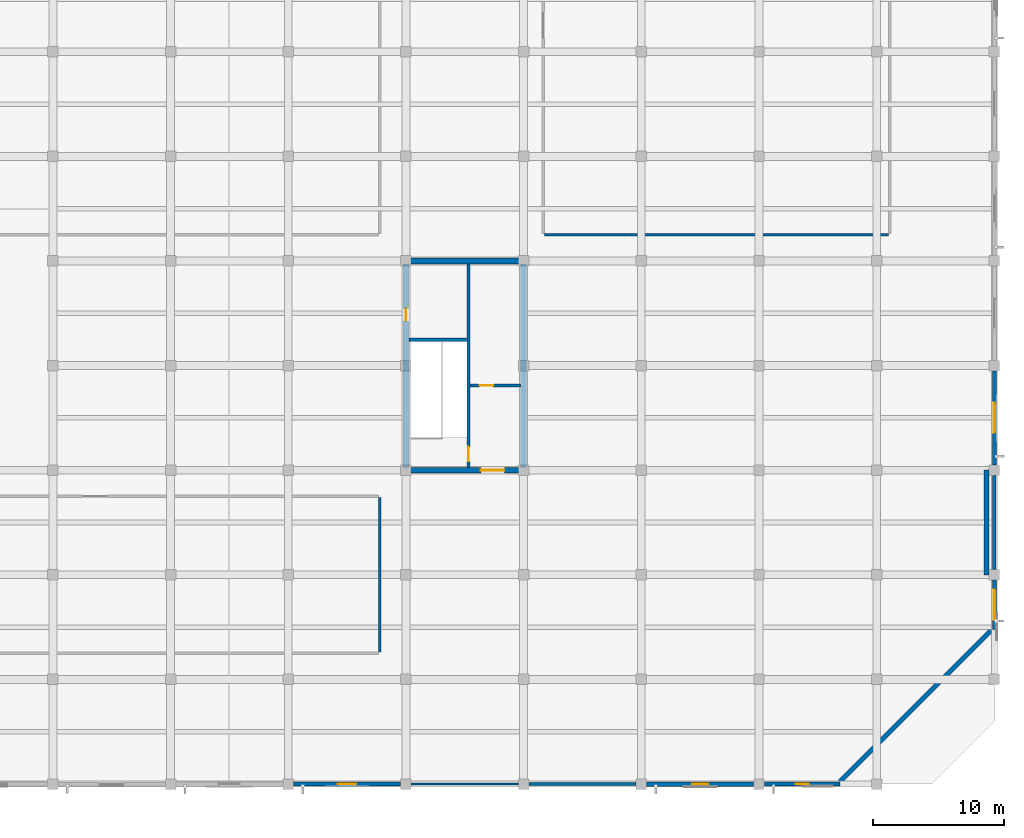
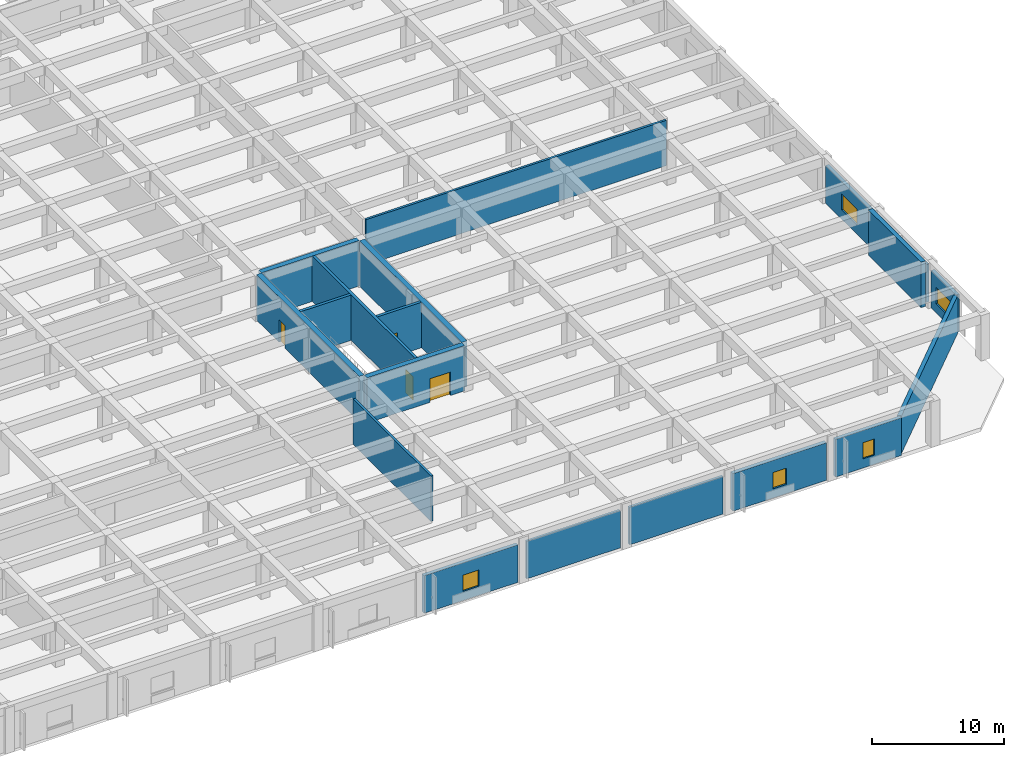
# One storey, part 17 of 32: 19 walls, 5 windows, 4 doors, 9 openings.
"""IFC4 building model written with IfcOpenShell, lengths in metres."""

from ifc_helpers import new_model, si_unit, direction, frame, frame_2d, origin, place, context, subcontext, project, spatial, rectangle, extrude, material, layer, layer_set, type_object, element, fill, save


model = new_model("IFC4")

# Units and contexts
model_context = context("Model", 3, precision=1e-05, world=origin(), true_north=direction((0.0, 1.0)))
body_context = subcontext(model_context, "Body", "Model", "MODEL_VIEW")
ifc_project = project(units=[si_unit("LENGTHUNIT", "METRE"), si_unit("AREAUNIT", "SQUARE_METRE"), si_unit("VOLUMEUNIT", "CUBIC_METRE"), si_unit("PLANEANGLEUNIT", "RADIAN"), si_unit("MASSUNIT", "GRAM", prefix="KILO")], contexts=[model_context])

# Site, building, storey
site_placement = place(None, origin())
site = spatial("IfcSite", under=ifc_project, at=site_placement, CompositionType="ELEMENT")
building_placement = place(site_placement, origin())
building = spatial("IfcBuilding", under=site, at=building_placement, Name="Zaverband Oceanarium and Marine Research Institute", CompositionType="ELEMENT")
storey_placement = place(building_placement, frame((0.0, 0.0, 13.5)))
storey = spatial("IfcBuildingStorey", under=building, at=storey_placement, Name="L03", CompositionType="ELEMENT", Elevation=13.5)

# Walls
ifc_material_1 = material(Name="Concrete C40/50 precast", Category="concrete")
ifc_layer_1 = layer(ifc_material_1, 0.18505859375, Name="Concrete C40/50 precast")
ifc_layer_set_1 = layer_set([ifc_layer_1], Name="Concrete C40/50 precast")
wall_type_1 = type_object("IfcWallType", Name="CLS-185", PredefinedType="ELEMENTEDWALL", material=ifc_layer_set_1)
wall_1_placement = place(storey_placement, frame((135.405029296875, 0.0, 0.0), z_axis=(0.0, 0.0, 1.0), x_axis=(1.0, 0.0, 0.0)))
element("IfcWall", 1, at=wall_1_placement, inside=storey, type_object=wall_type_1, Name="Pierced concrete screen CLS-185", PredefinedType="ELEMENTEDWALL", context=body_context, shape_type="SweptSolid", body=[
    extrude(rectangle(XDim=8.18994140625, YDim=0.18505859375, at=frame_2d((4.094970703125, 0.0))), origin(), (0.0, 0.0, 1.0), 3.47998046875),
])
ifc_layer_2 = layer(ifc_material_1, 0.2099609375, Name="Concrete C40/50 precast")
ifc_layer_set_2 = layer_set([ifc_layer_2], Name="Concrete C40/50 precast")
wall_type_2 = type_object("IfcWallType", Name="CLS-210", PredefinedType="ELEMENTEDWALL", material=ifc_layer_set_2)
wall_2_placement = place(storey_placement, frame((144.405029296875, 0.0, 0.0), z_axis=(0.0, 0.0, 1.0), x_axis=(1.0, 0.0, 0.0)))
element("IfcWall", 2, at=wall_2_placement, inside=storey, type_object=wall_type_2, Name="Pierced concrete screen CLS-210", PredefinedType="ELEMENTEDWALL", context=body_context, shape_type="SweptSolid", body=[
    extrude(rectangle(XDim=8.18994140625, YDim=0.2099609375, at=frame_2d((4.094970703125, 0.0))), origin(), (0.0, 0.0, 1.0), 3.47998046875),
])

# Wall, opening, door
ifc_material_2 = material(Name="Concrete C50/60", Category="concrete")
ifc_layer_3 = layer(ifc_material_2, 0.449951171875, Name="Concrete C50/60")
ifc_layer_set_3 = layer_set([ifc_layer_3], Name="Concrete C50/60")
wall_type_3 = type_object("IfcWallType", Name="CW-02", PredefinedType="SHEAR", material=ifc_layer_set_3)
wall_3_placement = place(storey_placement, frame((135.22509765625, 24.0, 0.0), z_axis=(0.0, 0.0, 1.0), x_axis=(1.0, 0.0, 0.0)))
wall_3 = element("IfcWall", 3, at=wall_3_placement, inside=storey, type_object=wall_type_3, Name="Structural shear wall CW-02", PredefinedType="SHEAR", context=body_context, shape_type="SweptSolid", body=[
    extrude(rectangle(XDim=8.5498046875, YDim=0.449951171875, at=frame_2d((4.27490234375, 0.0))), origin(), (0.0, 0.0, 1.0), 4.199951171875),
])
opening_1_placement = place(wall_3_placement, frame((5.5, 0.0, 0.0)))
opening_1 = element("IfcOpeningElement", 4, at=opening_1_placement, cuts=wall_3, Name="Opening FD-02", PredefinedType="OPENING", context=body_context, shape_type="SweptSolid", body=[
    extrude(rectangle(XDim=1.800048828125, YDim=2.179931640625, at=frame_2d((0.89990234375, 1.08984375))), frame((0.0, 0.23681640625, 0.0), z_axis=(0.0, -1.0, 0.0), x_axis=(1.0, 0.0, 0.0)), (0.0, 0.0, 1.0), 0.473876953125),
])
ifc_material_3 = material(Name="Steel S355", Category="steel")
door_type_1 = type_object("IfcDoorType", Name="FD-02", OperationType="DOUBLE_DOOR_SINGLE_SWING", PredefinedType="DOOR", material=ifc_material_3)
door_1_placement = place(opening_1_placement, origin())
door_1 = element("IfcDoor", 5, at=door_1_placement, inside=storey, type_object=door_type_1, Name="Protected lobby double fire door FD-02", OperationType="DOUBLE_DOOR_SINGLE_SWING", OverallHeight=2.179931640625, OverallWidth=1.800048828125, PredefinedType="DOOR", context=body_context, shape_type="SweptSolid", body=[
    extrude(rectangle(XDim=1.800048828125, YDim=2.179931640625, at=frame_2d((0.89990234375, 1.08984375))), frame((0.0, 0.02490234375, 0.0), z_axis=(0.0, -1.0, 0.0), x_axis=(1.0, 0.0, 0.0)), (0.0, 0.0, 1.0), 0.050048828125),
])
fill(opening_1, door_1)

# Wall
wall_4_placement = place(storey_placement, frame((135.22509765625, 40.0, 0.0), z_axis=(0.0, 0.0, 1.0), x_axis=(1.0, 0.0, 0.0)))
element("IfcWall", 6, at=wall_4_placement, inside=storey, type_object=wall_type_3, Name="Structural shear wall CW-02", PredefinedType="SHEAR", context=body_context, shape_type="SweptSolid", body=[
    extrude(rectangle(XDim=8.5498046875, YDim=0.449951171875, at=frame_2d((4.27490234375, 0.0))), origin(), (0.0, 0.0, 1.0), 4.199951171875),
])

# Wall, opening, door
wall_5_placement = place(storey_placement, frame((135.0, 24.22509765625, 0.0), z_axis=(0.0, 0.0, 1.0), x_axis=(0.0, 1.0, 0.0)))
wall_5 = element("IfcWall", 7, at=wall_5_placement, inside=storey, type_object=wall_type_3, Name="Structural shear wall CW-02", PredefinedType="SHEAR", context=body_context, shape_type="SweptSolid", body=[
    extrude(rectangle(XDim=15.5498046875, YDim=0.449951171875, at=frame_2d((7.77490234375, 0.0))), origin(), (0.0, 0.0, 1.0), 4.199951171875),
])
opening_2_placement = place(wall_5_placement, frame((11.199951171875, 0.0, 0.0)))
opening_2 = element("IfcOpeningElement", 8, at=opening_2_placement, cuts=wall_5, Name="Opening FD-03", PredefinedType="OPENING", context=body_context, shape_type="SweptSolid", body=[
    extrude(rectangle(XDim=0.949951171875, YDim=2.10009765625, at=frame_2d((0.47509765625, 1.050048828125))), frame((0.0, 0.23681640625, 0.0), z_axis=(0.0, -1.0, 0.0), x_axis=(1.0, 0.0, 0.0)), (0.0, 0.0, 1.0), 0.473876953125),
])
door_type_2 = type_object("IfcDoorType", Name="FD-03", OperationType="NOTDEFINED", PredefinedType="DOOR", material=ifc_material_3)
door_2_placement = place(opening_2_placement, origin())
door_2 = element("IfcDoor", 9, at=door_2_placement, inside=storey, type_object=door_type_2, Name="Service riser access fire door FD-03", OperationType="SINGLE_SWING_RIGHT", OverallHeight=2.10009765625, OverallWidth=0.949951171875, PredefinedType="DOOR", context=body_context, shape_type="SweptSolid", body=[
    extrude(rectangle(XDim=0.949951171875, YDim=2.10009765625, at=frame_2d((0.47509765625, 1.050048828125))), frame((0.0, 0.02490234375, 0.0), z_axis=(0.0, -1.0, 0.0), x_axis=(1.0, 0.0, 0.0)), (0.0, 0.0, 1.0), 0.050048828125),
])
fill(opening_2, door_2)

# Walls
wall_6_placement = place(storey_placement, frame((144.0, 24.22509765625, 0.0), z_axis=(0.0, 0.0, 1.0), x_axis=(0.0, 1.0, 0.0)))
element("IfcWall", 10, at=wall_6_placement, inside=storey, type_object=wall_type_3, Name="Structural shear wall CW-02", PredefinedType="SHEAR", context=body_context, shape_type="SweptSolid", body=[
    extrude(rectangle(XDim=15.5498046875, YDim=0.449951171875, at=frame_2d((7.77490234375, 0.0))), origin(), (0.0, 0.0, 1.0), 4.199951171875),
])
ifc_layer_4 = layer(ifc_material_1, 0.264892578125, Name="Concrete C40/50 precast")
ifc_layer_set_4 = layer_set([ifc_layer_4], Name="Concrete C40/50 precast")
wall_type_4 = type_object("IfcWallType", Name="EW-265", PredefinedType="STANDARD", material=ifc_layer_set_4)
wall_7_placement = place(storey_placement, frame((180.0, 16.405029296875, 0.0), z_axis=(0.0, 0.0, 1.0), x_axis=(0.0, 1.0, 0.0)))
element("IfcWall", 11, at=wall_7_placement, inside=storey, type_object=wall_type_4, Name="Exterior infill wall EW-265", PredefinedType="STANDARD", context=body_context, shape_type="SweptSolid", body=[
    extrude(rectangle(XDim=7.18994140625, YDim=0.264892578125, at=frame_2d((3.594970703125, 0.0))), origin(), (0.0, 0.0, 1.0), 3.47998046875),
])

# Wall, opening, window
ifc_layer_5 = layer(ifc_material_1, 0.2900390625, Name="Concrete C40/50 precast")
ifc_layer_set_5 = layer_set([ifc_layer_5], Name="Concrete C40/50 precast")
wall_type_5 = type_object("IfcWallType", Name="EW-290", PredefinedType="STANDARD", material=ifc_layer_set_5)
wall_8_placement = place(storey_placement, frame((180.0, 11.820068359375, 0.0), z_axis=(0.0, 0.0, 1.0), x_axis=(0.0, 1.0, 0.0)))
wall_8 = element("IfcWall", 12, at=wall_8_placement, inside=storey, type_object=wall_type_5, Name="Exterior infill wall EW-290", PredefinedType="STANDARD", context=body_context, shape_type="SweptSolid", body=[
    extrude(rectangle(XDim=3.77490234375, YDim=0.2900390625, at=frame_2d((1.887451171875, 0.0))), origin(), (0.0, 0.0, 1.0), 3.47998046875),
])
opening_3_placement = place(wall_8_placement, frame((0.737548828125, 0.0, 0.85009765625)))
opening_3 = element("IfcOpeningElement", 13, at=opening_3_placement, cuts=wall_8, Name="Opening WN-2300x1500", PredefinedType="OPENING", context=body_context, shape_type="SweptSolid", body=[
    extrude(rectangle(XDim=2.300048828125, YDim=1.5, at=frame_2d((1.14990234375, 0.75))), frame((0.0, 0.156982421875, 0.0), z_axis=(0.0, -1.0, 0.0), x_axis=(1.0, 0.0, 0.0)), (0.0, 0.0, 1.0), 0.31396484375),
])
ifc_material_4 = material(Name="Thermally broken anodized aluminium and solar-control glass", Category="aluminium")
window_type_1 = type_object("IfcWindowType", Name="WN-2300x1500", PartitioningType="SINGLE_PANEL", PredefinedType="WINDOW", material=ifc_material_4)
window_1_placement = place(opening_3_placement, origin())
window_1 = element("IfcWindow", 14, at=window_1_placement, inside=storey, type_object=window_type_1, Name="Fixed / casement exterior window WN-2300x1500", OverallHeight=1.5, OverallWidth=2.300048828125, PartitioningType="SINGLE_PANEL", PredefinedType="WINDOW", context=body_context, shape_type="SweptSolid", body=[
    extrude(rectangle(XDim=2.300048828125, YDim=1.5, at=frame_2d((1.14990234375, 0.75))), frame((0.0, 0.030029296875, 0.0), z_axis=(0.0, -1.0, 0.0), x_axis=(1.0, 0.0, 0.0)), (0.0, 0.0, 1.0), 0.06005859375),
])
fill(opening_3, window_1)

ifc_layer_6 = layer(ifc_material_1, 0.31005859375, Name="Concrete C40/50 precast")
ifc_layer_set_6 = layer_set([ifc_layer_6], Name="Concrete C40/50 precast")
wall_type_6 = type_object("IfcWallType", Name="EW-310", PredefinedType="STANDARD", material=ifc_layer_set_6)
wall_9_placement = place(storey_placement, frame((126.405029296875, 0.0, 0.0), z_axis=(0.0, 0.0, 1.0), x_axis=(1.0, 0.0, 0.0)))
wall_9 = element("IfcWall", 15, at=wall_9_placement, inside=storey, type_object=wall_type_6, Name="Exterior infill wall EW-310", PredefinedType="STANDARD", context=body_context, shape_type="SweptSolid", body=[
    extrude(rectangle(XDim=8.18994140625, YDim=0.31005859375, at=frame_2d((4.094970703125, 0.0))), origin(), (0.0, 0.0, 1.0), 3.47998046875),
])
opening_4_placement = place(wall_9_placement, frame((3.39501953125, 0.0, 0.85009765625)))
opening_4 = element("IfcOpeningElement", 16, at=opening_4_placement, cuts=wall_9, Name="Opening WN-1400x1500", PredefinedType="OPENING", context=body_context, shape_type="SweptSolid", body=[
    extrude(rectangle(XDim=1.39990234375, YDim=1.5, at=frame_2d((0.699951171875, 0.75))), frame((0.0, 0.1669921875, 0.0), z_axis=(0.0, -1.0, 0.0), x_axis=(1.0, 0.0, 0.0)), (0.0, 0.0, 1.0), 0.333984375),
])
window_type_2 = type_object("IfcWindowType", Name="WN-1400x1500", PartitioningType="SINGLE_PANEL", PredefinedType="WINDOW", material=ifc_material_4)
window_2_placement = place(opening_4_placement, origin())
window_2 = element("IfcWindow", 17, at=window_2_placement, inside=storey, type_object=window_type_2, Name="Fixed / casement exterior window WN-1400x1500", OverallHeight=1.5, OverallWidth=1.39990234375, PartitioningType="SINGLE_PANEL", PredefinedType="WINDOW", context=body_context, shape_type="SweptSolid", body=[
    extrude(rectangle(XDim=1.39990234375, YDim=1.5, at=frame_2d((0.699951171875, 0.75))), frame((0.0, 0.030029296875, 0.0), z_axis=(0.0, -1.0, 0.0), x_axis=(1.0, 0.0, 0.0)), (0.0, 0.0, 1.0), 0.06005859375),
])
fill(opening_4, window_2)

wall_10_placement = place(storey_placement, frame((162.405029296875, 0.0, 0.0), z_axis=(0.0, 0.0, 1.0), x_axis=(1.0, 0.0, 0.0)))
wall_10 = element("IfcWall", 18, at=wall_10_placement, inside=storey, type_object=wall_type_6, Name="Exterior infill wall EW-310", PredefinedType="STANDARD", context=body_context, shape_type="SweptSolid", body=[
    extrude(rectangle(XDim=5.77490234375, YDim=0.31005859375, at=frame_2d((2.887451171875, 0.0))), origin(), (0.0, 0.0, 1.0), 3.47998046875),
])
opening_5_placement = place(wall_10_placement, frame((2.387451171875, 0.0, 0.85009765625)))
opening_5 = element("IfcOpeningElement", 19, at=opening_5_placement, cuts=wall_10, Name="Opening WN-1000x1500", PredefinedType="OPENING", context=body_context, shape_type="SweptSolid", body=[
    extrude(rectangle(XDim=1.0, YDim=1.5, at=frame_2d((0.5, 0.75))), frame((0.0, 0.1669921875, 0.0), z_axis=(0.0, -1.0, 0.0), x_axis=(1.0, 0.0, 0.0)), (0.0, 0.0, 1.0), 0.333984375),
])
window_type_3 = type_object("IfcWindowType", Name="WN-1000x1500", PartitioningType="SINGLE_PANEL", PredefinedType="WINDOW", material=ifc_material_4)
window_3_placement = place(opening_5_placement, origin())
window_3 = element("IfcWindow", 20, at=window_3_placement, inside=storey, type_object=window_type_3, Name="Fixed / casement exterior window WN-1000x1500", OverallHeight=1.5, OverallWidth=1.0, PartitioningType="SINGLE_PANEL", PredefinedType="WINDOW", context=body_context, shape_type="SweptSolid", body=[
    extrude(rectangle(XDim=1.0, YDim=1.5, at=frame_2d((0.5, 0.75))), frame((0.0, 0.030029296875, 0.0), z_axis=(0.0, -1.0, 0.0), x_axis=(1.0, 0.0, 0.0)), (0.0, 0.0, 1.0), 0.06005859375),
])
fill(opening_5, window_3)

wall_11_placement = place(storey_placement, frame((180.0, 24.405029296875, 0.0), z_axis=(0.0, 0.0, 1.0), x_axis=(0.0, 1.0, 0.0)))
wall_11 = element("IfcWall", 21, at=wall_11_placement, inside=storey, type_object=wall_type_6, Name="Exterior infill wall EW-310", PredefinedType="STANDARD", context=body_context, shape_type="SweptSolid", body=[
    extrude(rectangle(XDim=7.18994140625, YDim=0.31005859375, at=frame_2d((3.594970703125, 0.0))), origin(), (0.0, 0.0, 1.0), 3.47998046875),
])
opening_6_placement = place(wall_11_placement, frame((2.445068359375, 0.0, 0.85009765625)))
opening_6 = element("IfcOpeningElement", 22, at=opening_6_placement, cuts=wall_11, Name="Opening WN-2300x1500", PredefinedType="OPENING", context=body_context, shape_type="SweptSolid", body=[
    extrude(rectangle(XDim=2.300048828125, YDim=1.5, at=frame_2d((1.14990234375, 0.75))), frame((0.0, 0.1669921875, 0.0), z_axis=(0.0, -1.0, 0.0), x_axis=(1.0, 0.0, 0.0)), (0.0, 0.0, 1.0), 0.333984375),
])
window_4_placement = place(opening_6_placement, origin())
window_4 = element("IfcWindow", 23, at=window_4_placement, inside=storey, type_object=window_type_1, Name="Fixed / casement exterior window WN-2300x1500", OverallHeight=1.5, OverallWidth=2.300048828125, PartitioningType="SINGLE_PANEL", PredefinedType="WINDOW", context=body_context, shape_type="SweptSolid", body=[
    extrude(rectangle(XDim=2.300048828125, YDim=1.5, at=frame_2d((1.14990234375, 0.75))), frame((0.0, 0.030029296875, 0.0), z_axis=(0.0, -1.0, 0.0), x_axis=(1.0, 0.0, 0.0)), (0.0, 0.0, 1.0), 0.06005859375),
])
fill(opening_6, window_4)

ifc_layer_7 = layer(ifc_material_1, 0.340087890625, Name="Concrete C40/50 precast")
ifc_layer_set_7 = layer_set([ifc_layer_7], Name="Concrete C40/50 precast")
wall_type_7 = type_object("IfcWallType", Name="EW-340", PredefinedType="STANDARD", material=ifc_layer_set_7)
wall_12_placement = place(storey_placement, frame((153.405029296875, 0.0, 0.0), z_axis=(0.0, 0.0, 1.0), x_axis=(1.0, 0.0, 0.0)))
wall_12 = element("IfcWall", 24, at=wall_12_placement, inside=storey, type_object=wall_type_7, Name="Exterior infill wall EW-340", PredefinedType="STANDARD", context=body_context, shape_type="SweptSolid", body=[
    extrude(rectangle(XDim=8.18994140625, YDim=0.340087890625, at=frame_2d((4.094970703125, 0.0))), origin(), (0.0, 0.0, 1.0), 3.47998046875),
])
opening_7_placement = place(wall_12_placement, frame((3.4951171875, 0.0, 0.85009765625)))
opening_7 = element("IfcOpeningElement", 25, at=opening_7_placement, cuts=wall_12, Name="Opening WN-1200x1500", PredefinedType="OPENING", context=body_context, shape_type="SweptSolid", body=[
    extrude(rectangle(XDim=1.199951171875, YDim=1.5, at=frame_2d((0.60009765625, 0.75))), frame((0.0, 0.18212890625, 0.0), z_axis=(0.0, -1.0, 0.0), x_axis=(1.0, 0.0, 0.0)), (0.0, 0.0, 1.0), 0.364013671875),
])
window_type_4 = type_object("IfcWindowType", Name="WN-1200x1500", PartitioningType="SINGLE_PANEL", PredefinedType="WINDOW", material=ifc_material_4)
window_5_placement = place(opening_7_placement, origin())
window_5 = element("IfcWindow", 26, at=window_5_placement, inside=storey, type_object=window_type_4, Name="Fixed / casement exterior window WN-1200x1500", OverallHeight=1.5, OverallWidth=1.199951171875, PartitioningType="SINGLE_PANEL", PredefinedType="WINDOW", context=body_context, shape_type="SweptSolid", body=[
    extrude(rectangle(XDim=1.199951171875, YDim=1.5, at=frame_2d((0.60009765625, 0.75))), frame((0.0, 0.030029296875, 0.0), z_axis=(0.0, -1.0, 0.0), x_axis=(1.0, 0.0, 0.0)), (0.0, 0.0, 1.0), 0.06005859375),
])
fill(opening_7, window_5)

# Walls
wall_13_placement = place(storey_placement, frame((168.179931640625, 0.179931640625, 0.0), z_axis=(0.0, 0.0, 1.0), x_axis=(0.707106781187, 0.707106781187, 0.0)))
element("IfcWall", 27, at=wall_13_placement, inside=storey, type_object=wall_type_7, Name="Exterior infill wall EW-340", PredefinedType="STANDARD", context=body_context, shape_type="SweptSolid", body=[
    extrude(rectangle(XDim=16.461669921875, YDim=0.340087890625, at=frame_2d((8.23095703125, 0.0))), origin(), (0.0, 0.0, 1.0), 3.47998046875),
])
ifc_material_5 = material(Name="Fire-rated masonry compartment wall", Category="masonry")
ifc_layer_8 = layer(ifc_material_5, 0.199951171875, Name="Fire-rated masonry compartment wall")
ifc_layer_set_8 = layer_set([ifc_layer_8], Name="Fire-rated masonry compartment wall")
wall_type_8 = type_object("IfcWallType", Name="PT-200-FR", PredefinedType="PARTITIONING", material=ifc_layer_set_8)
wall_14_placement = place(storey_placement, frame((145.60009765625, 42.0, 0.0), z_axis=(0.0, 0.0, 1.0), x_axis=(1.0, 0.0, 0.0)))
element("IfcWall", 28, at=wall_14_placement, inside=storey, type_object=wall_type_8, Name="Internal partition PT-200-FR", PredefinedType="PARTITIONING", context=body_context, shape_type="SweptSolid", body=[
    extrude(rectangle(XDim=26.2998046875, YDim=0.199951171875, at=frame_2d((13.14990234375, 0.0))), origin(), (0.0, 0.0, 1.0), 4.199951171875),
])
wall_15_placement = place(storey_placement, frame((133.0, 10.10009765625, 0.0), z_axis=(0.0, 0.0, 1.0), x_axis=(0.0, 1.0, 0.0)))
element("IfcWall", 29, at=wall_15_placement, inside=storey, type_object=wall_type_8, Name="Internal partition PT-200-FR", PredefinedType="PARTITIONING", context=body_context, shape_type="SweptSolid", body=[
    extrude(rectangle(XDim=11.7998046875, YDim=0.199951171875, at=frame_2d((5.89990234375, 0.0))), origin(), (0.0, 0.0, 1.0), 4.199951171875),
])

# Wall, opening, door
ifc_layer_9 = layer(ifc_material_2, 0.25, Name="Concrete C50/60")
ifc_layer_set_9 = layer_set([ifc_layer_9], Name="Concrete C50/60")
wall_type_9 = type_object("IfcWallType", Name="PW-CORE-250", PredefinedType="SOLIDWALL", material=ifc_layer_set_9)
wall_16_placement = place(storey_placement, frame((139.77490234375, 24.22509765625, 0.0), z_axis=(0.0, 0.0, 1.0), x_axis=(0.0, 1.0, 0.0)))
wall_16 = element("IfcWall", 30, at=wall_16_placement, inside=storey, type_object=wall_type_9, Name="Structural concrete wall PW-CORE-250", PredefinedType="SOLIDWALL", context=body_context, shape_type="SweptSolid", body=[
    extrude(rectangle(XDim=15.5498046875, YDim=0.25, at=frame_2d((7.77490234375, 0.0))), origin(), (0.0, 0.0, 1.0), 4.199951171875),
])
opening_8_placement = place(wall_16_placement, frame((0.449951171875, 0.0, 0.0)))
opening_8 = element("IfcOpeningElement", 31, at=opening_8_placement, cuts=wall_16, Name="Opening FD-01", PredefinedType="OPENING", context=body_context, shape_type="SweptSolid", body=[
    extrude(rectangle(XDim=1.10009765625, YDim=2.14990234375, at=frame_2d((0.550048828125, 1.074951171875))), frame((0.0, 0.136962890625, 0.0), z_axis=(0.0, -1.0, 0.0), x_axis=(1.0, 0.0, 0.0)), (0.0, 0.0, 1.0), 0.27392578125),
])
door_type_3 = type_object("IfcDoorType", Name="FD-01", OperationType="NOTDEFINED", PredefinedType="DOOR", material=ifc_material_3)
door_3_placement = place(opening_8_placement, origin())
door_3 = element("IfcDoor", 32, at=door_3_placement, inside=storey, type_object=door_type_3, Name="Core stair / lobby fire door FD-01", OperationType="SINGLE_SWING_RIGHT", OverallHeight=2.14990234375, OverallWidth=1.10009765625, PredefinedType="DOOR", context=body_context, shape_type="SweptSolid", body=[
    extrude(rectangle(XDim=1.10009765625, YDim=2.14990234375, at=frame_2d((0.550048828125, 1.074951171875))), frame((0.0, 0.02490234375, 0.0), z_axis=(0.0, -1.0, 0.0), x_axis=(1.0, 0.0, 0.0)), (0.0, 0.0, 1.0), 0.050048828125),
])
fill(opening_8, door_3)

# Wall
wall_17_placement = place(storey_placement, frame((135.22509765625, 33.97509765625, 0.0), z_axis=(0.0, 0.0, 1.0), x_axis=(1.0, 0.0, 0.0)))
element("IfcWall", 33, at=wall_17_placement, inside=storey, type_object=wall_type_9, Name="Structural concrete wall PW-CORE-250", PredefinedType="SOLIDWALL", context=body_context, shape_type="SweptSolid", body=[
    extrude(rectangle(XDim=4.419921875, YDim=0.25, at=frame_2d((2.2099609375, 0.0))), origin(), (0.0, 0.0, 1.0), 4.199951171875),
])

# Wall, opening, door
wall_18_placement = place(storey_placement, frame((139.905029296875, 30.47509765625, 0.0), z_axis=(0.0, 0.0, 1.0), x_axis=(1.0, 0.0, 0.0)))
wall_18 = element("IfcWall", 34, at=wall_18_placement, inside=storey, type_object=wall_type_9, Name="Structural concrete wall PW-CORE-250", PredefinedType="SOLIDWALL", context=body_context, shape_type="SweptSolid", body=[
    extrude(rectangle(XDim=3.869873046875, YDim=0.25, at=frame_2d((1.93505859375, 0.0))), origin(), (0.0, 0.0, 1.0), 4.199951171875),
])
opening_9_placement = place(wall_18_placement, frame((0.719970703125, 0.0, 0.0)))
opening_9 = element("IfcOpeningElement", 35, at=opening_9_placement, cuts=wall_18, Name="Opening LD-02", PredefinedType="OPENING", context=body_context, shape_type="SweptSolid", body=[
    extrude(rectangle(XDim=1.050048828125, YDim=2.1201171875, at=frame_2d((0.52490234375, 1.06005859375))), frame((0.0, 0.136962890625, 0.0), z_axis=(0.0, -1.0, 0.0), x_axis=(1.0, 0.0, 0.0)), (0.0, 0.0, 1.0), 0.27392578125),
])
door_type_4 = type_object("IfcDoorType", Name="LD-02", OperationType="DOUBLE_DOOR_SLIDING", PredefinedType="DOOR", material=ifc_material_3)
door_4_placement = place(opening_9_placement, origin())
door_4 = element("IfcDoor", 36, at=door_4_placement, inside=storey, type_object=door_type_4, Name="Passenger lift sliding landing door LD-02", OperationType="DOUBLE_DOOR_SLIDING", OverallHeight=2.1201171875, OverallWidth=1.050048828125, PredefinedType="DOOR", context=body_context, shape_type="SweptSolid", body=[
    extrude(rectangle(XDim=1.050048828125, YDim=2.1201171875, at=frame_2d((0.52490234375, 1.06005859375))), frame((0.0, 0.02490234375, 0.0), z_axis=(0.0, -1.0, 0.0), x_axis=(1.0, 0.0, 0.0)), (0.0, 0.0, 1.0), 0.050048828125),
])
fill(opening_9, door_4)

# Wall
ifc_layer_10 = layer(ifc_material_2, 0.3798828125, Name="Concrete C50/60")
ifc_layer_set_10 = layer_set([ifc_layer_10], Name="Concrete C50/60")
wall_type_10 = type_object("IfcWallType", Name="SW-02", PredefinedType="SHEAR", material=ifc_layer_set_10)
wall_19_placement = place(storey_placement, frame((179.39990234375, 16.0, 0.0), z_axis=(0.0, 0.0, 1.0), x_axis=(0.0, 1.0, 0.0)))
element("IfcWall", 37, at=wall_19_placement, inside=storey, type_object=wall_type_10, Name="Structural shear wall SW-02", PredefinedType="SHEAR", context=body_context, shape_type="SweptSolid", body=[
    extrude(rectangle(XDim=8.0, YDim=0.3798828125, at=frame_2d((4.0, 0.0))), origin(), (0.0, 0.0, 1.0), 4.199951171875),
])

save(model, "model.ifc")
